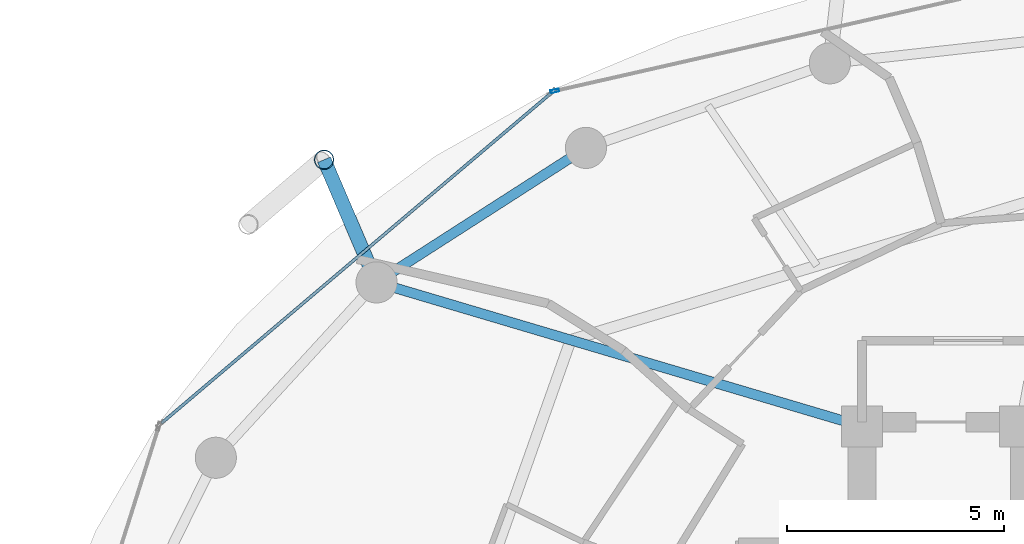
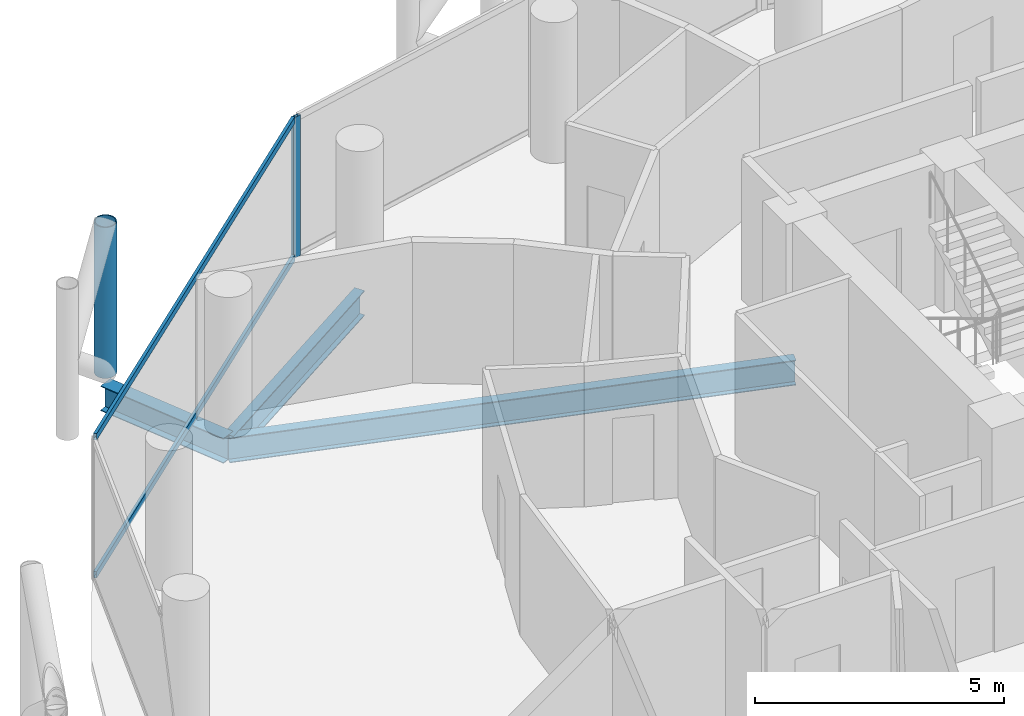
# One storey, part 14 of 26: 4 members, 3 beams, 2 elements without a shape of their own.
"""IFC4 building model written with IfcOpenShell, lengths in metres."""

from ifc_helpers import new_model, si_unit, direction, frame, origin, origin_2d, place, context, subcontext, project, spatial, hollow_rectangle, hollow_circle, i_section, extrude, material, layer, layer_set, material_profile, profile_set, type_object, element, aggregate, save


model = new_model("IFC4")

# Units and contexts
model_context = context("Model", 3, precision=1e-05, world=origin(), true_north=direction((0.0, 1.0)))
body_context = subcontext(model_context, "Body", "Model", "MODEL_VIEW")
ifc_project = project(units=[si_unit("LENGTHUNIT", "METRE"), si_unit("AREAUNIT", "SQUARE_METRE"), si_unit("VOLUMEUNIT", "CUBIC_METRE"), si_unit("PLANEANGLEUNIT", "RADIAN"), si_unit("MASSUNIT", "GRAM", prefix="KILO")], contexts=[model_context])

# Site, building, storey
site_placement = place(None, origin())
site = spatial("IfcSite", under=ifc_project, at=site_placement, CompositionType="ELEMENT")
building_placement = place(site_placement, origin())
building = spatial("IfcBuilding", under=site, at=building_placement, Name="Nuhasar Tower", CompositionType="ELEMENT")
storey_placement = place(building_placement, frame((0.0, 0.0, 121.949951171875)))
storey = spatial("IfcBuildingStorey", under=building, at=storey_placement, Name="L28", CompositionType="ELEMENT", Elevation=121.949951171875)

# Beams
ifc_material_1 = material(Name="Steel S355", Category="steel")
ifc_material_profile_1 = material_profile(ifc_material_1, i_section(OverallWidth=0.22900390625, OverallDepth=0.612060546875, WebThickness=0.011962890625, FlangeThickness=0.01953125, at=origin_2d()), Name="W24X84")
ifc_profile_set_1 = profile_set([ifc_material_profile_1], Name="Steel S355")
beam_type_1 = type_object("IfcBeamType", Name="BM-RAD-W24X84", PredefinedType="BEAM", material=ifc_profile_set_1)
beam_1_placement = place(storey_placement, frame((33.699951171875, 37.300048828125, -0.555908203125), z_axis=(-0.958746492721, 0.284262489076, 0.0), x_axis=(-0.284262489076, -0.958746492721, 0.0)))
element("IfcBeam", 1, at=beam_1_placement, inside=storey, type_object=beam_type_1, Name="L28 Radial Floor Girder 07", PredefinedType="BEAM", context=body_context, shape_type="SweptSolid", body=[
    extrude(i_section(OverallWidth=0.22900390625, OverallDepth=0.612060546875, WebThickness=0.011962890625, FlangeThickness=0.01953125, at=origin_2d()), origin(), (0.0, 0.0, 1.0), 11.693359375),
])
ifc_material_profile_2 = material_profile(ifc_material_1, i_section(OverallWidth=0.22998046875, OverallDepth=0.616943359375, WebThickness=0.01318359375, FlangeThickness=0.022216796875, at=origin_2d()), Name="W24X94")
ifc_profile_set_2 = profile_set([ifc_material_profile_2], Name="Steel S355")
beam_type_2 = type_object("IfcBeamType", Name="BM-RING-W24X94", PredefinedType="SPANDREL", material=ifc_profile_set_2)
beam_2_placement = place(storey_placement, frame((27.324951171875, 43.73095703125, -0.557861328125), z_axis=(-0.841327486207, -0.540525726448, 0.0), x_axis=(0.540525726448, -0.841327486207, 0.0)))
element("IfcBeam", 2, at=beam_2_placement, inside=storey, type_object=beam_type_2, Name="L28 Perimeter Ring Spandrel 09", PredefinedType="SPANDREL", context=body_context, shape_type="SweptSolid", body=[
    extrude(i_section(OverallWidth=0.22998046875, OverallDepth=0.616943359375, WebThickness=0.01318359375, FlangeThickness=0.022216796875, at=origin_2d()), origin(), (0.0, 0.0, 1.0), 5.748046875),
])
ifc_material_profile_3 = material_profile(ifc_material_1, i_section(OverallWidth=0.323974609375, OverallDepth=0.611083984375, WebThickness=0.0126953125, FlangeThickness=0.01904296875, at=origin_2d()), Name="W24X104")
ifc_profile_set_3 = profile_set([ifc_material_profile_3], Name="Steel S355")
beam_type_3 = type_object("IfcBeamType", Name="BM-TIE-W24X104", PredefinedType="BEAM", material=ifc_profile_set_3)
beam_3_placement = place(storey_placement, frame((22.489013671875, 40.6240234375, -0.554931640625), z_axis=(-0.39330721304, 0.919407111225, 0.0), x_axis=(-0.919407111225, -0.39330721304, 0.0)))
element("IfcBeam", 3, at=beam_3_placement, inside=storey, type_object=beam_type_3, Name="L28 Exoskeleton Node Tie Beam 05", PredefinedType="BEAM", context=body_context, shape_type="SweptSolid", body=[
    extrude(i_section(OverallWidth=0.323974609375, OverallDepth=0.611083984375, WebThickness=0.0126953125, FlangeThickness=0.01904296875, at=origin_2d()), origin(), (0.0, 0.0, 1.0), 3.081298828125),
])

# Curtain wall, member
ifc_material_2 = material(Name="Aluminium 6063-T6", Category="aluminium")
ifc_layer = layer(ifc_material_2, 0.199951171875)
ifc_layer_set = layer_set([ifc_layer], Name="Aluminium 6063-T6")
curtain_wall_type = type_object("IfcCurtainWallType", Name="CW-Z2-HTL", PredefinedType="NOTDEFINED", material=ifc_layer_set)
curtain_wall_1_placement = place(storey_placement, origin())
curtain_wall_1 = element("IfcCurtainWall", 4, at=curtain_wall_1_placement, inside=storey, type_object=curtain_wall_type, Name="L28 Unitised Curtain Wall 04", PredefinedType="NOTDEFINED")
ifc_material_profile_4 = material_profile(ifc_material_2, hollow_rectangle(XDim=0.070068359375, YDim=0.199951171875, WallThickness=0.0048828125, at=origin_2d()), Name="CWM-3")
ifc_profile_set_4 = profile_set([ifc_material_profile_4], Name="Aluminium 6063-T6")
member_type_1 = type_object("IfcMemberType", Name="CW-MUL-S3", PredefinedType="MULLION", material=ifc_profile_set_4)
member_1_placement = place(storey_placement, frame((26.604248046875, 45.045654296875, 0.0), z_axis=(0.0, 0.0, 1.0), x_axis=(0.22139729566, -0.975183694221, 0.0)))
member_1 = element("IfcMember", 5, at=member_1_placement, type_object=member_type_1, Name="CW-Z2 mullion 2", PredefinedType="MULLION", context=body_context, shape_type="SweptSolid", body=[
    extrude(hollow_rectangle(XDim=0.070068359375, YDim=0.199951171875, WallThickness=0.0048828125, at=origin_2d()), origin(), (0.0, 0.0, 1.0), 3.449951171875),
])
aggregate(curtain_wall_1, [member_1])

# Curtain wall, members
curtain_wall_2_placement = place(storey_placement, origin())
curtain_wall_2 = element("IfcCurtainWall", 6, at=curtain_wall_2_placement, inside=storey, type_object=curtain_wall_type, Name="L28 Unitised Curtain Wall 05", PredefinedType="NOTDEFINED")
ifc_material_profile_5 = material_profile(ifc_material_2, hollow_rectangle(XDim=0.070068359375, YDim=0.159912109375, WallThickness=0.00439453125, at=origin_2d()), Name="CWT-3")
ifc_profile_set_5 = profile_set([ifc_material_profile_5], Name="Aluminium 6063-T6")
member_type_2 = type_object("IfcMemberType", Name="CW-TRN-S3", PredefinedType="USERDEFINED", material=ifc_profile_set_5)
member_2_placement = place(storey_placement, frame((26.5166015625, 44.99267578125, 0.03515625), z_axis=(-0.763023915269, -0.646370253592, 0.0), x_axis=(0.646370253592, -0.763023915269, 0.0)))
member_2 = element("IfcMember", 7, at=member_2_placement, type_object=member_type_2, Name="CW-Z2 transom 1.1", ObjectType="TRANSOM", PredefinedType="USERDEFINED", context=body_context, shape_type="SweptSolid", body=[
    extrude(hollow_rectangle(XDim=0.070068359375, YDim=0.159912109375, WallThickness=0.00439453125, at=origin_2d()), origin(), (0.0, 0.0, 1.0), 11.784912109375),
])
member_3_placement = place(storey_placement, frame((26.5166015625, 44.99267578125, 3.4150390625), z_axis=(-0.763023915269, -0.646370253592, 0.0), x_axis=(0.646370253592, -0.763023915269, 0.0)))
member_3 = element("IfcMember", 8, at=member_3_placement, type_object=member_type_2, Name="CW-Z2 transom 1.2", ObjectType="TRANSOM", PredefinedType="USERDEFINED", context=body_context, shape_type="SweptSolid", body=[
    extrude(hollow_rectangle(XDim=0.070068359375, YDim=0.159912109375, WallThickness=0.00439453125, at=origin_2d()), origin(), (0.0, 0.0, 1.0), 11.784912109375),
])
aggregate(curtain_wall_2, [member_2, member_3])

# Member
ifc_material_3 = material(Name="Steel S460", Category="steel")
ifc_material_profile_6 = material_profile(ifc_material_3, hollow_circle(Radius=0.228515625, WallThickness=0.022216796875, at=origin_2d()), Name="HSS457X22.2")
ifc_profile_set_6 = profile_set([ifc_material_profile_6], Name="Steel S460")
member_type_3 = type_object("IfcMemberType", Name="EXO-BRONZE-457", PredefinedType="BRACE", material=ifc_profile_set_6)
member_4_placement = place(storey_placement, frame((21.277099609375, 43.45703125, 0.0), z_axis=(0.0, 0.0, 1.0), x_axis=(1.0, 0.0, 0.0)))
element("IfcMember", 9, at=member_4_placement, inside=storey, type_object=member_type_3, Name="L28 Exoskeleton Chord Column EC-05A", PredefinedType="BRACE", context=body_context, shape_type="SweptSolid", body=[
    extrude(hollow_circle(Radius=0.228515625, WallThickness=0.022216796875, at=origin_2d()), origin(), (0.0, 0.0, 1.0), 3.699951171875),
])

save(model, "model.ifc")
